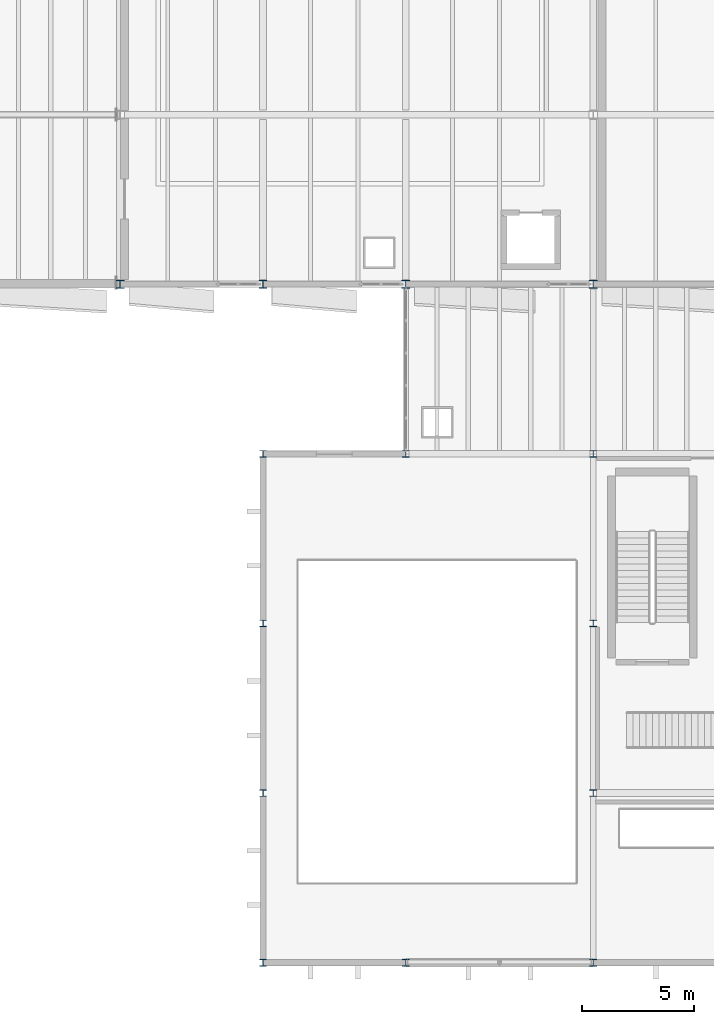
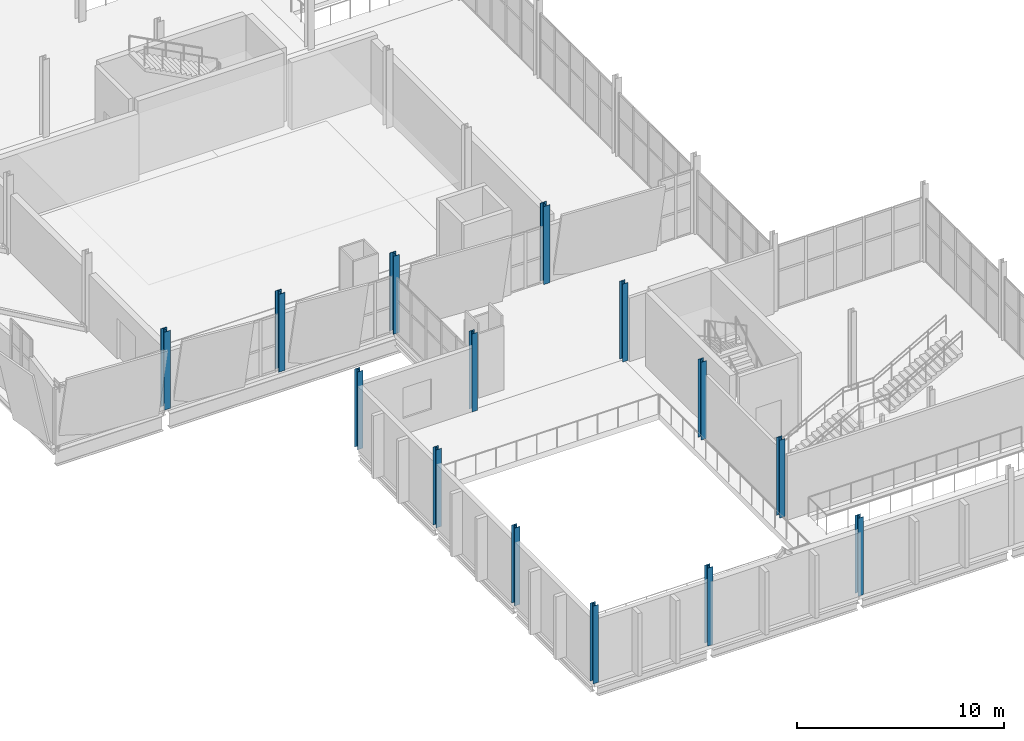
# One storey, part 1 of 172: 14 columns.
"""IFC4 building model written with IfcOpenShell, lengths in metres."""

import ifcopenshell
import ifcopenshell.guid

model = None  # the IFC model being written
_history = None  # IfcOwnerHistory: only IFC2X3 demands one
_inside = {}  # id of a spatial element -> (the spatial element, [elements in it])
_under = {}  # id of a project, library or spatial element -> (it, [spatial elements below it])
_declared = {}  # id of a project -> (the project, [libraries it declares])
_typed = {}  # id of a type object -> (the type object, [elements of that type])
_made_of = {}  # id of a material, layer set ... -> (it, [elements and type objects made of it])


def new_model(schema):
    """Start an empty IFC model of exactly this schema.

    Asked for "IFC4X3", IfcOpenShell would pick the latest addendum, in which some entities
    have other attributes; the version numbers below select the first issue.
    IFC2X3 requires an IfcOwnerHistory on every rooted entity: one is made here for all.
    """
    global model, _history
    if schema == "IFC4X3":
        model = ifcopenshell.file(schema_version=(4, 3, 0, 0))
    else:
        model = ifcopenshell.file(schema=schema)
    _inside.clear()
    _under.clear()
    _declared.clear()
    _typed.clear()
    _made_of.clear()
    _history = None
    if model.schema == "IFC2X3":
        org = make("IfcOrganization", Name="unknown")
        user = make(
            "IfcPersonAndOrganization",
            ThePerson=make("IfcPerson", FamilyName="unknown"),
            TheOrganization=org,
        )
        app = make(
            "IfcApplication",
            ApplicationDeveloper=org,
            Version="unknown",
            ApplicationFullName="unknown",
            ApplicationIdentifier="unknown",
        )
        _history = make(
            "IfcOwnerHistory",
            OwningUser=user,
            OwningApplication=app,
            ChangeAction="ADDED",
            CreationDate=0,
        )
    return model


def make(cls, **values):
    """One entity of the class cls with the attributes given. An attribute that is None is left unset."""
    return model.create_entity(
        cls, **{name: value for name, value in values.items() if value is not None}
    )


def rooted(cls, **values):
    """An entity with a GlobalId (a new one), such as an element, a storey or a relation."""
    return make(cls, GlobalId=ifcopenshell.guid.new(), OwnerHistory=_history, **values)


def si_unit(unit_type, name, prefix=None):
    """IfcSIUnit, for example si_unit("LENGTHUNIT", "METRE", prefix="MILLI")."""
    return make("IfcSIUnit", UnitType=unit_type, Prefix=prefix, Name=name)


def assignment(units):
    """IfcUnitAssignment: the units of a project."""
    return None if units is None else make("IfcUnitAssignment", Units=units)


def point(xyz):
    """IfcCartesianPoint."""
    return None if xyz is None else make("IfcCartesianPoint", Coordinates=xyz)


def direction(xyz):
    """IfcDirection."""
    return None if xyz is None else make("IfcDirection", DirectionRatios=xyz)


def frame(location, z_axis=None, x_axis=None):
    """IfcAxis2Placement3D, a coordinate frame: its origin and axes. An axis left out is left unset."""
    return make(
        "IfcAxis2Placement3D",
        Location=point(location),
        Axis=direction(z_axis),
        RefDirection=direction(x_axis),
    )


def frame_2d(location, x_axis=None):
    """IfcAxis2Placement2D, a coordinate frame in the plane: its origin and x axis."""
    return make(
        "IfcAxis2Placement2D", Location=point(location), RefDirection=direction(x_axis)
    )


def origin():
    """The frame at (0, 0, 0) with its axes left unset."""
    return frame((0.0, 0.0, 0.0))


def origin_2d():
    """The frame at (0, 0) in the plane with its x axis left unset."""
    return frame_2d((0.0, 0.0))


def place(relative_to, where):
    """IfcLocalPlacement: puts the frame where relative to a parent placement (None: the world)."""
    return make(
        "IfcLocalPlacement", PlacementRelTo=relative_to, RelativePlacement=where
    )


def context(
    kind, dimensions, precision=None, world=None, true_north=None, identifier=None
):
    """IfcGeometricRepresentationContext, for example the 3D "Model" context."""
    return make(
        "IfcGeometricRepresentationContext",
        ContextIdentifier=identifier,
        ContextType=kind,
        CoordinateSpaceDimension=dimensions,
        Precision=precision,
        WorldCoordinateSystem=world,
        TrueNorth=true_north,
    )


def subcontext(parent, identifier, kind, view, scale=None):
    """IfcGeometricRepresentationSubContext, for example "Body" below "Model"."""
    return make(
        "IfcGeometricRepresentationSubContext",
        ContextIdentifier=identifier,
        ContextType=kind,
        ParentContext=parent,
        TargetScale=scale,
        TargetView=view,
    )


def project(units=None, contexts=None):
    """IfcProject with its units and contexts."""
    return rooted(
        "IfcProject",
        Name="project",
        RepresentationContexts=contexts,
        UnitsInContext=assignment(units),
    )


def spatial(cls, under=None, at=None, **own):
    """A site, building, storey or space (cls), placed at a placement, below another one or the project."""
    s = rooted(cls, ObjectPlacement=at, **own)
    if under is not None:
        _under.setdefault(under.id(), (under, []))[1].append(s)
    return s


def profile(cls, at=None, kind="AREA", **sizes):
    """A parametric profile (cls). Its sizes go by their IFC names, for example OverallWidth=200.0."""
    return make(cls, ProfileType=kind, Position=at, **sizes)


def i_section(**sizes):
    """IfcIShapeProfileDef."""
    return profile("IfcIShapeProfileDef", **sizes)


def extrude(swept, where, along, depth):
    """IfcExtrudedAreaSolid: the profile swept, set in the frame where, extruded along a direction by depth."""
    return make(
        "IfcExtrudedAreaSolid",
        SweptArea=swept,
        Position=where,
        ExtrudedDirection=direction(along),
        Depth=depth,
    )


def shape(context_of_items, identifier, shape_type, items):
    """IfcShapeRepresentation: the items that make up one representation, for example the "Body"."""
    return make(
        "IfcShapeRepresentation",
        ContextOfItems=context_of_items,
        RepresentationIdentifier=identifier,
        RepresentationType=shape_type,
        Items=items,
    )


def material(Name=None, Category=None):
    """IfcMaterial."""
    return make("IfcMaterial", Name=Name, Category=Category)


def material_profile(
    of_material, cross_section, Name=None, Category=None, Priority=None
):
    """IfcMaterialProfile: a cross section and its material."""
    return make(
        "IfcMaterialProfile",
        Name=Name,
        Material=of_material,
        Profile=cross_section,
        Priority=Priority,
        Category=Category,
    )


def profile_set(profiles, Name=None, composite=None):
    """IfcMaterialProfileSet."""
    return make(
        "IfcMaterialProfileSet",
        Name=Name,
        MaterialProfiles=profiles,
        CompositeProfile=composite,
    )


def made_of(thing, what):
    """Note that an element or type object is made of a material, layer set ...; save() writes the relation."""
    if what is not None:
        _made_of.setdefault(what.id(), (what, []))[1].append(thing)
    return thing


def type_object(cls, material=None, **own):
    """A type object (cls), such as IfcWallType, which elements share."""
    return made_of(rooted(cls, **own), material)


def element(
    cls,
    number,
    at=None,
    inside=None,
    cuts=None,
    type_object=None,
    material=None,
    context=None,
    identifier="Body",
    shape_type=None,
    held_by="IfcProductDefinitionShape",
    body=None,
    shapes=None,
    **own,
):
    """One element of the class cls, such as IfcWall. Its Tag is "e" and its number.

    at: its placement. inside: the storey or other place that contains it. cuts: it is an
    opening in that element (IfcRelVoidsElement). A single representation is given by context,
    identifier, shape_type and body (its items); several are given by shapes. held_by: the class
    of the entity that holds the representations. save() writes the other relations.
    """
    e = rooted(cls, Tag="e%d" % number, ObjectPlacement=at, **own)
    if body is not None:
        shapes = [shape(context, identifier, shape_type, body)]
    if shapes is not None:
        e.Representation = make(held_by, Representations=shapes)
    if inside is not None:
        _inside.setdefault(inside.id(), (inside, []))[1].append(e)
    if cuts is not None:
        rooted(
            "IfcRelVoidsElement", RelatingBuildingElement=cuts, RelatedOpeningElement=e
        )
    if type_object is not None:
        _typed.setdefault(type_object.id(), (type_object, []))[1].append(e)
    return made_of(e, material)


def aggregate(whole, parts):
    """IfcRelAggregates: a whole, such as a stair, and the parts it consists of."""
    return rooted("IfcRelAggregates", RelatingObject=whole, RelatedObjects=parts)


def save(model, path):
    """Write the relations noted so far, then the file.

    IfcRelAggregates (storeys below a building ...), IfcRelContainedInSpatialStructure (elements
    in a storey), IfcRelDefinesByType, IfcRelAssociatesMaterial and IfcRelDeclares: one each for
    every whole, place, type object, material and project.
    """
    for whole, parts in _under.values():
        aggregate(whole, parts)
    for where, things in _inside.values():
        rooted(
            "IfcRelContainedInSpatialStructure",
            RelatedElements=things,
            RelatingStructure=where,
        )
    for kind, things in _typed.values():
        rooted("IfcRelDefinesByType", RelatedObjects=things, RelatingType=kind)
    for what, things in _made_of.values():
        rooted("IfcRelAssociatesMaterial", RelatedObjects=things, RelatingMaterial=what)
    for by, libraries in _declared.values():
        rooted("IfcRelDeclares", RelatingContext=by, RelatedDefinitions=libraries)
    model.write(path)


model = new_model("IFC4")

# Units and contexts
model_context = context("Model", 3, precision=1e-05, world=origin(), true_north=direction((0.0, 1.0)))
body_context = subcontext(model_context, "Body", "Model", "MODEL_VIEW")
ifc_project = project(units=[si_unit("LENGTHUNIT", "METRE"), si_unit("AREAUNIT", "SQUARE_METRE"), si_unit("VOLUMEUNIT", "CUBIC_METRE"), si_unit("PLANEANGLEUNIT", "RADIAN"), si_unit("MASSUNIT", "GRAM", prefix="KILO")], contexts=[model_context])

# Site, building, storey
site_placement = place(None, origin())
site = spatial("IfcSite", under=ifc_project, at=site_placement, CompositionType="ELEMENT")
building_placement = place(site_placement, origin())
building = spatial("IfcBuilding", under=site, at=building_placement, Name="Shengluoqiao Park Theatre", CompositionType="ELEMENT")
storey_placement = place(building_placement, frame((0.0, 0.0, 5.39990234375)))
storey = spatial("IfcBuildingStorey", under=building, at=storey_placement, Name="L01", CompositionType="ELEMENT", Elevation=5.39990234375)

# Columns
ifc_material = material(Name="Steel Q355", Category="steel")
ifc_material_profile_1 = material_profile(ifc_material, i_section(OverallWidth=0.300048828125, OverallDepth=0.300048828125, WebThickness=0.010009765625, FlangeThickness=0.014892578125, FilletRadius=0.01806640625, at=origin_2d()), Name="HW 300x300x10x15")
ifc_profile_set_1 = profile_set([ifc_material_profile_1], Name="Steel Q355")
column_type_1 = type_object("IfcColumnType", Name="STR-COL-C-HW300", PredefinedType="COLUMN", material=ifc_profile_set_1)
for number, where, z_axis, x_axis, name in (
    (1, (12.800048828125, 0.0, 0.0), (0.0, 0.0, 1.0), (1.0, 0.0, 0.0), "L01 Column 0031"),
    (2, (12.800048828125, 7.60009765625, 0.0), (0.0, 0.0, 1.0), (1.0, 0.0, 0.0), "L01 Column 0035"),
    (3, (12.800048828125, 15.199951171875, 0.0), (0.0, 0.0, 1.0), (1.0, 0.0, 0.0), "L01 Column 0039"),
    (4, (12.800048828125, 22.800048828125, 0.0), (0.0, 0.0, 1.0), (1.0, 0.0, 0.0), "L01 Column 0043"),
    (5, (19.199951171875, 0.0, 0.0), (0.0, 0.0, 1.0), (1.0, 0.0, 0.0), "L01 Column 0069"),
    (6, (19.199951171875, 22.800048828125, 0.0), (0.0, 0.0, 1.0), (1.0, 0.0, 0.0), "L01 Column 0075"),
    (7, (27.60009765625, 0.0, 0.0), (0.0, 0.0, 1.0), (1.0, 0.0, 0.0), "L01 Column 0101"),
    (8, (27.60009765625, 7.60009765625, 0.0), (0.0, 0.0, 1.0), (1.0, 0.0, 0.0), "L01 Column 0105"),
    (9, (27.60009765625, 15.199951171875, 0.0), (0.0, 0.0, 1.0), (1.0, 0.0, 0.0), "L01 Column 0109"),
    (10, (27.60009765625, 22.800048828125, 0.0), (0.0, 0.0, 1.0), (1.0, 0.0, 0.0), "L01 Column 0113"),
):
    element("IfcColumn", number, at=place(storey_placement, frame(where, z_axis=z_axis, x_axis=x_axis)), inside=storey, type_object=column_type_1, Name=name, PredefinedType="COLUMN", context=body_context, shape_type="SweptSolid", body=[
        extrude(i_section(OverallWidth=0.300048828125, OverallDepth=0.300048828125, WebThickness=0.010009765625, FlangeThickness=0.014892578125, FilletRadius=0.01806640625, at=origin_2d()), origin(), (0.0, 0.0, 1.0), 4.60009765625),
    ])
ifc_material_profile_2 = material_profile(ifc_material, i_section(OverallWidth=0.35009765625, OverallDepth=0.35009765625, WebThickness=0.011962890625, FlangeThickness=0.01904296875, FilletRadius=0.01806640625, at=origin_2d()), Name="HW 350x350x12x19")
ifc_profile_set_2 = profile_set([ifc_material_profile_2], Name="Steel Q355")
column_type_2 = type_object("IfcColumnType", Name="STR-COL-C-HW350", PredefinedType="COLUMN", material=ifc_profile_set_2)
for number, where, z_axis, x_axis, name in (
    (11, (6.39990234375, 30.39990234375, 0.0), (0.0, 0.0, 1.0), (1.0, 0.0, 0.0), "L01 Column 0002"),
    (12, (12.800048828125, 30.39990234375, 0.0), (0.0, 0.0, 1.0), (1.0, 0.0, 0.0), "L01 Column 0046"),
    (13, (19.199951171875, 30.39990234375, 0.0), (0.0, 0.0, 1.0), (1.0, 0.0, 0.0), "L01 Column 0078"),
    (14, (27.60009765625, 30.39990234375, 0.0), (0.0, 0.0, 1.0), (1.0, 0.0, 0.0), "L01 Column 0116"),
):
    element("IfcColumn", number, at=place(storey_placement, frame(where, z_axis=z_axis, x_axis=x_axis)), inside=storey, type_object=column_type_2, Name=name, PredefinedType="COLUMN", context=body_context, shape_type="SweptSolid", body=[
        extrude(i_section(OverallWidth=0.35009765625, OverallDepth=0.35009765625, WebThickness=0.011962890625, FlangeThickness=0.01904296875, FilletRadius=0.01806640625, at=origin_2d()), origin(), (0.0, 0.0, 1.0), 4.60009765625),
    ])

save(model, "model.ifc")
